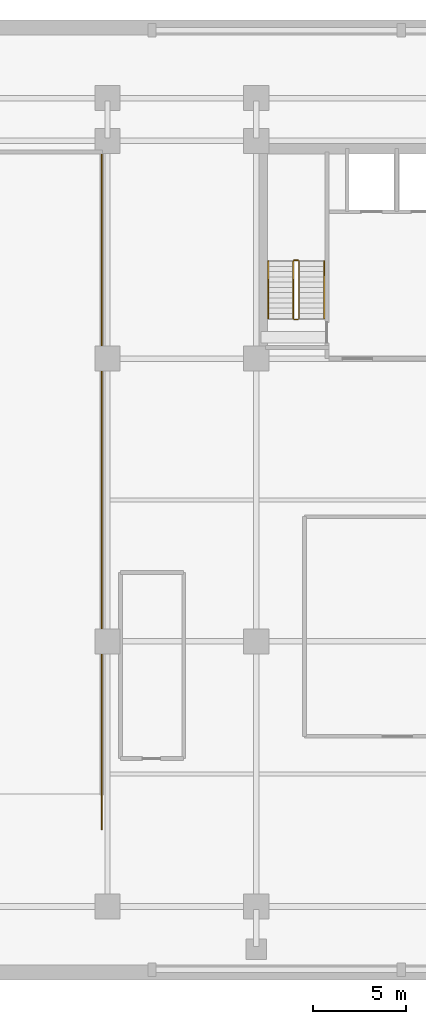
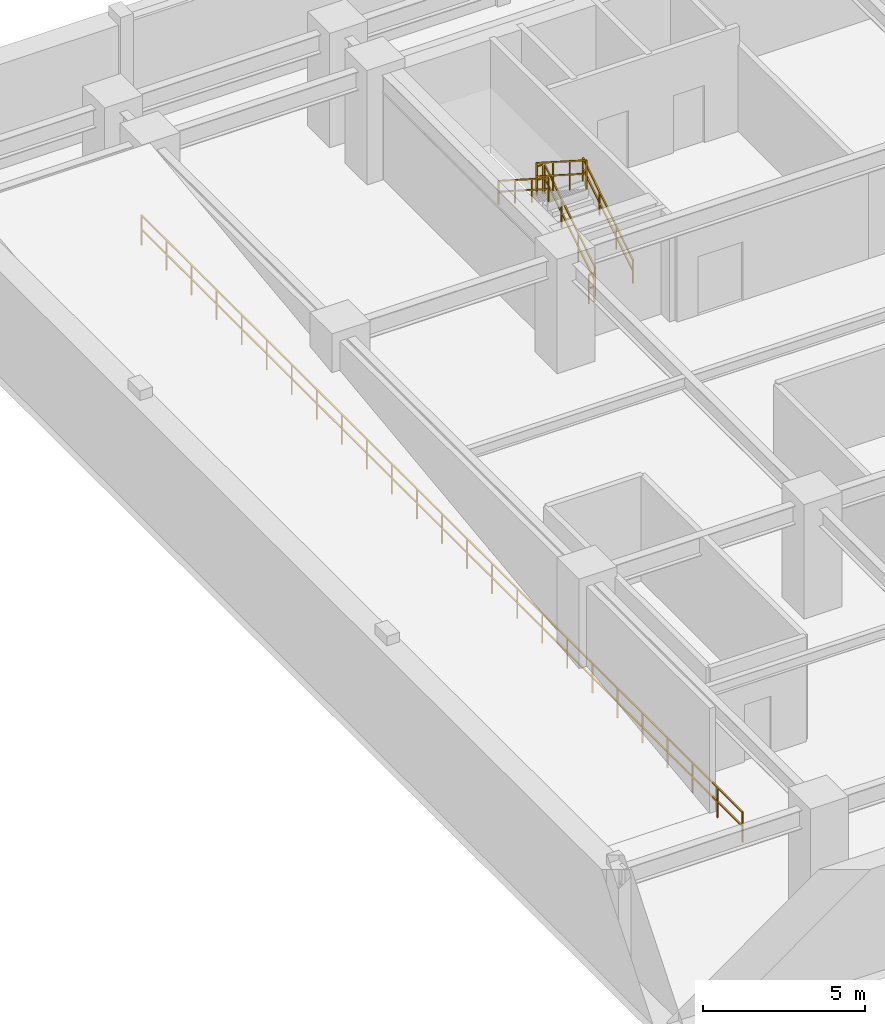
# One storey, part 7 of 8: 7 railings.
"""IFC4 building model written with IfcOpenShell, lengths in metres."""

import ifcopenshell
import ifcopenshell.guid

model = None  # the IFC model being written
_history = None  # IfcOwnerHistory: only IFC2X3 demands one
_inside = {}  # id of a spatial element -> (the spatial element, [elements in it])
_under = {}  # id of a project, library or spatial element -> (it, [spatial elements below it])
_declared = {}  # id of a project -> (the project, [libraries it declares])
_typed = {}  # id of a type object -> (the type object, [elements of that type])
_made_of = {}  # id of a material, layer set ... -> (it, [elements and type objects made of it])


def new_model(schema):
    """Start an empty IFC model of exactly this schema.

    Asked for "IFC4X3", IfcOpenShell would pick the latest addendum, in which some entities
    have other attributes; the version numbers below select the first issue.
    IFC2X3 requires an IfcOwnerHistory on every rooted entity: one is made here for all.
    """
    global model, _history
    if schema == "IFC4X3":
        model = ifcopenshell.file(schema_version=(4, 3, 0, 0))
    else:
        model = ifcopenshell.file(schema=schema)
    _inside.clear()
    _under.clear()
    _declared.clear()
    _typed.clear()
    _made_of.clear()
    _history = None
    if model.schema == "IFC2X3":
        org = make("IfcOrganization", Name="unknown")
        user = make(
            "IfcPersonAndOrganization",
            ThePerson=make("IfcPerson", FamilyName="unknown"),
            TheOrganization=org,
        )
        app = make(
            "IfcApplication",
            ApplicationDeveloper=org,
            Version="unknown",
            ApplicationFullName="unknown",
            ApplicationIdentifier="unknown",
        )
        _history = make(
            "IfcOwnerHistory",
            OwningUser=user,
            OwningApplication=app,
            ChangeAction="ADDED",
            CreationDate=0,
        )
    return model


def make(cls, **values):
    """One entity of the class cls with the attributes given. An attribute that is None is left unset."""
    return model.create_entity(
        cls, **{name: value for name, value in values.items() if value is not None}
    )


def rooted(cls, **values):
    """An entity with a GlobalId (a new one), such as an element, a storey or a relation."""
    return make(cls, GlobalId=ifcopenshell.guid.new(), OwnerHistory=_history, **values)


def si_unit(unit_type, name, prefix=None):
    """IfcSIUnit, for example si_unit("LENGTHUNIT", "METRE", prefix="MILLI")."""
    return make("IfcSIUnit", UnitType=unit_type, Prefix=prefix, Name=name)


def assignment(units):
    """IfcUnitAssignment: the units of a project."""
    return None if units is None else make("IfcUnitAssignment", Units=units)


def point(xyz):
    """IfcCartesianPoint."""
    return None if xyz is None else make("IfcCartesianPoint", Coordinates=xyz)


def direction(xyz):
    """IfcDirection."""
    return None if xyz is None else make("IfcDirection", DirectionRatios=xyz)


def frame(location, z_axis=None, x_axis=None):
    """IfcAxis2Placement3D, a coordinate frame: its origin and axes. An axis left out is left unset."""
    return make(
        "IfcAxis2Placement3D",
        Location=point(location),
        Axis=direction(z_axis),
        RefDirection=direction(x_axis),
    )


def frame_2d(location, x_axis=None):
    """IfcAxis2Placement2D, a coordinate frame in the plane: its origin and x axis."""
    return make(
        "IfcAxis2Placement2D", Location=point(location), RefDirection=direction(x_axis)
    )


def origin():
    """The frame at (0, 0, 0) with its axes left unset."""
    return frame((0.0, 0.0, 0.0))


def origin_2d():
    """The frame at (0, 0) in the plane with its x axis left unset."""
    return frame_2d((0.0, 0.0))


def place(relative_to, where):
    """IfcLocalPlacement: puts the frame where relative to a parent placement (None: the world)."""
    return make(
        "IfcLocalPlacement", PlacementRelTo=relative_to, RelativePlacement=where
    )


def context(
    kind, dimensions, precision=None, world=None, true_north=None, identifier=None
):
    """IfcGeometricRepresentationContext, for example the 3D "Model" context."""
    return make(
        "IfcGeometricRepresentationContext",
        ContextIdentifier=identifier,
        ContextType=kind,
        CoordinateSpaceDimension=dimensions,
        Precision=precision,
        WorldCoordinateSystem=world,
        TrueNorth=true_north,
    )


def subcontext(parent, identifier, kind, view, scale=None):
    """IfcGeometricRepresentationSubContext, for example "Body" below "Model"."""
    return make(
        "IfcGeometricRepresentationSubContext",
        ContextIdentifier=identifier,
        ContextType=kind,
        ParentContext=parent,
        TargetScale=scale,
        TargetView=view,
    )


def project(units=None, contexts=None):
    """IfcProject with its units and contexts."""
    return rooted(
        "IfcProject",
        Name="project",
        RepresentationContexts=contexts,
        UnitsInContext=assignment(units),
    )


def spatial(cls, under=None, at=None, **own):
    """A site, building, storey or space (cls), placed at a placement, below another one or the project."""
    s = rooted(cls, ObjectPlacement=at, **own)
    if under is not None:
        _under.setdefault(under.id(), (under, []))[1].append(s)
    return s


def profile(cls, at=None, kind="AREA", **sizes):
    """A parametric profile (cls). Its sizes go by their IFC names, for example OverallWidth=200.0."""
    return make(cls, ProfileType=kind, Position=at, **sizes)


def rectangle(**sizes):
    """IfcRectangleProfileDef."""
    return profile("IfcRectangleProfileDef", **sizes)


def extrude(swept, where, along, depth):
    """IfcExtrudedAreaSolid: the profile swept, set in the frame where, extruded along a direction by depth."""
    return make(
        "IfcExtrudedAreaSolid",
        SweptArea=swept,
        Position=where,
        ExtrudedDirection=direction(along),
        Depth=depth,
    )


def shape(context_of_items, identifier, shape_type, items):
    """IfcShapeRepresentation: the items that make up one representation, for example the "Body"."""
    return make(
        "IfcShapeRepresentation",
        ContextOfItems=context_of_items,
        RepresentationIdentifier=identifier,
        RepresentationType=shape_type,
        Items=items,
    )


def material(Name=None, Category=None):
    """IfcMaterial."""
    return make("IfcMaterial", Name=Name, Category=Category)


def made_of(thing, what):
    """Note that an element or type object is made of a material, layer set ...; save() writes the relation."""
    if what is not None:
        _made_of.setdefault(what.id(), (what, []))[1].append(thing)
    return thing


def type_object(cls, material=None, **own):
    """A type object (cls), such as IfcWallType, which elements share."""
    return made_of(rooted(cls, **own), material)


def element(
    cls,
    number,
    at=None,
    inside=None,
    cuts=None,
    type_object=None,
    material=None,
    context=None,
    identifier="Body",
    shape_type=None,
    held_by="IfcProductDefinitionShape",
    body=None,
    shapes=None,
    **own,
):
    """One element of the class cls, such as IfcWall. Its Tag is "e" and its number.

    at: its placement. inside: the storey or other place that contains it. cuts: it is an
    opening in that element (IfcRelVoidsElement). A single representation is given by context,
    identifier, shape_type and body (its items); several are given by shapes. held_by: the class
    of the entity that holds the representations. save() writes the other relations.
    """
    e = rooted(cls, Tag="e%d" % number, ObjectPlacement=at, **own)
    if body is not None:
        shapes = [shape(context, identifier, shape_type, body)]
    if shapes is not None:
        e.Representation = make(held_by, Representations=shapes)
    if inside is not None:
        _inside.setdefault(inside.id(), (inside, []))[1].append(e)
    if cuts is not None:
        rooted(
            "IfcRelVoidsElement", RelatingBuildingElement=cuts, RelatedOpeningElement=e
        )
    if type_object is not None:
        _typed.setdefault(type_object.id(), (type_object, []))[1].append(e)
    return made_of(e, material)


def aggregate(whole, parts):
    """IfcRelAggregates: a whole, such as a stair, and the parts it consists of."""
    return rooted("IfcRelAggregates", RelatingObject=whole, RelatedObjects=parts)


def save(model, path):
    """Write the relations noted so far, then the file.

    IfcRelAggregates (storeys below a building ...), IfcRelContainedInSpatialStructure (elements
    in a storey), IfcRelDefinesByType, IfcRelAssociatesMaterial and IfcRelDeclares: one each for
    every whole, place, type object, material and project.
    """
    for whole, parts in _under.values():
        aggregate(whole, parts)
    for where, things in _inside.values():
        rooted(
            "IfcRelContainedInSpatialStructure",
            RelatedElements=things,
            RelatingStructure=where,
        )
    for kind, things in _typed.values():
        rooted("IfcRelDefinesByType", RelatedObjects=things, RelatingType=kind)
    for what, things in _made_of.values():
        rooted("IfcRelAssociatesMaterial", RelatedObjects=things, RelatingMaterial=what)
    for by, libraries in _declared.values():
        rooted("IfcRelDeclares", RelatingContext=by, RelatedDefinitions=libraries)
    model.write(path)


model = new_model("IFC4")

# Units and contexts
model_context = context("Model", 3, precision=1e-05, world=origin(), true_north=direction((0.0, 1.0)))
body_context = subcontext(model_context, "Body", "Model", "MODEL_VIEW")
ifc_project = project(units=[si_unit("LENGTHUNIT", "METRE"), si_unit("AREAUNIT", "SQUARE_METRE"), si_unit("VOLUMEUNIT", "CUBIC_METRE"), si_unit("PLANEANGLEUNIT", "RADIAN"), si_unit("MASSUNIT", "GRAM", prefix="KILO")], contexts=[model_context])

# Site, building, storey
site_placement = place(None, origin())
site = spatial("IfcSite", under=ifc_project, at=site_placement, CompositionType="ELEMENT")
building_placement = place(site_placement, origin())
building = spatial("IfcBuilding", under=site, at=building_placement, Name="Trelvane Seafront Commons", CompositionType="ELEMENT")
storey_placement = place(building_placement, frame((0.0, 0.0, -4.300048828125)))
storey = spatial("IfcBuildingStorey", under=building, at=storey_placement, Name="B01", CompositionType="ELEMENT", Elevation=-4.300048828125)

# Railings
ifc_material = material(Name="Stainless steel balustrade", Category="steel")
railing_type_1 = type_object("IfcRailingType", Name="ARCH-RAIL-BAL1150", PredefinedType="BALUSTRADE", material=ifc_material)
railing_1_placement = place(storey_placement, frame((7.300048828125, 8.10009765625, 0.0)))
element("IfcRailing", 1, at=railing_1_placement, inside=storey, type_object=railing_type_1, Name="RL-B01-RMP-01", PredefinedType="BALUSTRADE", context=body_context, shape_type="SweptSolid", body=[
    extrude(rectangle(XDim=0.048095703125, YDim=0.048095703125, at=origin_2d()), frame((0.0, 0.0, 1.1259765625), z_axis=(0.0, 1.0, 0.0), x_axis=(-1.0, 0.0, 0.0)), (0.0, 0.0, 1.0), 37.0),
    extrude(rectangle(XDim=0.048095703125, YDim=0.048095703125, at=origin_2d()), frame((0.0, 0.0, 0.597900390625), z_axis=(0.0, 1.0, 0.0), x_axis=(-1.0, 0.0, 0.0)), (0.0, 0.0, 1.0), 37.0),
    extrude(rectangle(XDim=0.0419921875, YDim=0.0419921875, at=origin_2d()), origin(), (0.0, 0.0, 1.0), 1.1259765625),
    extrude(rectangle(XDim=0.0419921875, YDim=0.0419921875, at=origin_2d()), frame((0.0, 1.541748046875, 0.0)), (0.0, 0.0, 1.0), 1.1259765625),
    extrude(rectangle(XDim=0.0419921875, YDim=0.0419921875, at=origin_2d()), frame((0.0, 3.083251953125, 0.0)), (0.0, 0.0, 1.0), 1.1259765625),
    extrude(rectangle(XDim=0.0419921875, YDim=0.0419921875, at=origin_2d()), frame((0.0, 4.625, 0.0)), (0.0, 0.0, 1.0), 1.1259765625),
    extrude(rectangle(XDim=0.0419921875, YDim=0.0419921875, at=origin_2d()), frame((0.0, 6.166748046875, 0.0)), (0.0, 0.0, 1.0), 1.1259765625),
    extrude(rectangle(XDim=0.0419921875, YDim=0.0419921875, at=origin_2d()), frame((0.0, 7.708251953125, 0.0)), (0.0, 0.0, 1.0), 1.1259765625),
    extrude(rectangle(XDim=0.0419921875, YDim=0.0419921875, at=origin_2d()), frame((0.0, 9.25, 0.0)), (0.0, 0.0, 1.0), 1.1259765625),
    extrude(rectangle(XDim=0.0419921875, YDim=0.0419921875, at=origin_2d()), frame((0.0, 10.791748046875, 0.0)), (0.0, 0.0, 1.0), 1.1259765625),
    extrude(rectangle(XDim=0.0419921875, YDim=0.0419921875, at=origin_2d()), frame((0.0, 12.333251953125, 0.0)), (0.0, 0.0, 1.0), 1.1259765625),
    extrude(rectangle(XDim=0.0419921875, YDim=0.0419921875, at=origin_2d()), frame((0.0, 13.875, 0.0)), (0.0, 0.0, 1.0), 1.1259765625),
    extrude(rectangle(XDim=0.0419921875, YDim=0.0419921875, at=origin_2d()), frame((0.0, 15.416748046875, 0.0)), (0.0, 0.0, 1.0), 1.1259765625),
    extrude(rectangle(XDim=0.0419921875, YDim=0.0419921875, at=origin_2d()), frame((0.0, 16.958251953125, 0.0)), (0.0, 0.0, 1.0), 1.1259765625),
    extrude(rectangle(XDim=0.0419921875, YDim=0.0419921875, at=origin_2d()), frame((0.0, 18.5, 0.0)), (0.0, 0.0, 1.0), 1.1259765625),
    extrude(rectangle(XDim=0.0419921875, YDim=0.0419921875, at=origin_2d()), frame((0.0, 20.041748046875, 0.0)), (0.0, 0.0, 1.0), 1.1259765625),
    extrude(rectangle(XDim=0.0419921875, YDim=0.0419921875, at=origin_2d()), frame((0.0, 21.583251953125, 0.0)), (0.0, 0.0, 1.0), 1.1259765625),
    extrude(rectangle(XDim=0.0419921875, YDim=0.0419921875, at=origin_2d()), frame((0.0, 23.125, 0.0)), (0.0, 0.0, 1.0), 1.1259765625),
    extrude(rectangle(XDim=0.0419921875, YDim=0.0419921875, at=origin_2d()), frame((0.0, 24.666748046875, 0.0)), (0.0, 0.0, 1.0), 1.1259765625),
    extrude(rectangle(XDim=0.0419921875, YDim=0.0419921875, at=origin_2d()), frame((0.0, 26.208251953125, 0.0)), (0.0, 0.0, 1.0), 1.1259765625),
    extrude(rectangle(XDim=0.0419921875, YDim=0.0419921875, at=origin_2d()), frame((0.0, 27.75, 0.0)), (0.0, 0.0, 1.0), 1.1259765625),
    extrude(rectangle(XDim=0.0419921875, YDim=0.0419921875, at=origin_2d()), frame((0.0, 29.291748046875, 0.0)), (0.0, 0.0, 1.0), 1.1259765625),
    extrude(rectangle(XDim=0.0419921875, YDim=0.0419921875, at=origin_2d()), frame((0.0, 30.833251953125, 0.0)), (0.0, 0.0, 1.0), 1.1259765625),
    extrude(rectangle(XDim=0.0419921875, YDim=0.0419921875, at=origin_2d()), frame((0.0, 32.375, 0.0)), (0.0, 0.0, 1.0), 1.1259765625),
    extrude(rectangle(XDim=0.0419921875, YDim=0.0419921875, at=origin_2d()), frame((0.0, 33.916748046875, 0.0)), (0.0, 0.0, 1.0), 1.1259765625),
    extrude(rectangle(XDim=0.0419921875, YDim=0.0419921875, at=origin_2d()), frame((0.0, 35.458251953125, 0.0)), (0.0, 0.0, 1.0), 1.1259765625),
    extrude(rectangle(XDim=0.0419921875, YDim=0.0419921875, at=origin_2d()), frame((0.0, 37.0, 0.0)), (0.0, 0.0, 1.0), 1.1259765625),
])
railing_type_2 = type_object("IfcRailingType", Name="ARCH-SRL-GUARD", PredefinedType="GUARDRAIL", material=ifc_material)
railing_2_placement = place(storey_placement, frame((17.89990234375, 35.550048828125, 0.17919921875)))
element("IfcRailing", 2, at=railing_2_placement, inside=storey, type_object=railing_type_2, Name="B01 ST-1 stair guard 1", PredefinedType="GUARDRAIL", context=body_context, shape_type="SweptSolid", body=[
    extrude(rectangle(XDim=0.048095703125, YDim=0.048095703125, at=origin_2d()), frame((0.0, 0.0, 1.076171875), z_axis=(0.0, 0.842289589211, 0.539025275759), x_axis=(-1.0, 0.0, 0.0)), (0.0, 0.0, 1.0), 3.656494140625),
    extrude(rectangle(XDim=0.048095703125, YDim=0.048095703125, at=origin_2d()), frame((0.0, 0.0, 0.572021484375), z_axis=(0.0, 0.842289589211, 0.539025275759), x_axis=(-1.0, 0.0, 0.0)), (0.0, 0.0, 1.0), 3.656494140625),
    extrude(rectangle(XDim=0.0419921875, YDim=0.0419921875, at=origin_2d()), origin(), (0.0, 0.0, 1.0), 1.076171875),
    extrude(rectangle(XDim=0.0419921875, YDim=0.0419921875, at=origin_2d()), frame((0.0, 1.026611328125, 0.656982421875)), (0.0, 0.0, 1.0), 1.076171875),
    extrude(rectangle(XDim=0.0419921875, YDim=0.0419921875, at=origin_2d()), frame((0.0, 2.05322265625, 1.31396484375)), (0.0, 0.0, 1.0), 1.076171875),
    extrude(rectangle(XDim=0.0419921875, YDim=0.0419921875, at=origin_2d()), frame((0.0, 3.079833984375, 1.970947265625)), (0.0, 0.0, 1.0), 1.076171875),
])
railing_3_placement = place(storey_placement, frame((17.85009765625, 38.679931640625, 2.150146484375)))
element("IfcRailing", 3, at=railing_3_placement, inside=storey, type_object=railing_type_2, Name="B01 ST-1 stair guard 2", PredefinedType="GUARDRAIL", context=body_context, shape_type="SweptSolid", body=[
    extrude(rectangle(XDim=0.048095703125, YDim=0.048095703125, at=origin_2d()), frame((0.0, 0.0, 1.076171875), z_axis=(-1.0, 0.0, 0.0), x_axis=(0.0, -1.0, 0.0)), (0.0, 0.0, 1.0), 0.2001953125),
    extrude(rectangle(XDim=0.048095703125, YDim=0.048095703125, at=origin_2d()), frame((0.0, 0.0, 0.572021484375), z_axis=(-1.0, 0.0, 0.0), x_axis=(0.0, -1.0, 0.0)), (0.0, 0.0, 1.0), 0.2001953125),
    extrude(rectangle(XDim=0.0419921875, YDim=0.0419921875, at=origin_2d()), origin(), (0.0, 0.0, 1.0), 1.076171875),
    extrude(rectangle(XDim=0.0419921875, YDim=0.0419921875, at=origin_2d()), frame((-0.2001953125, 0.0, 0.0)), (0.0, 0.0, 1.0), 1.076171875),
])
railing_4_placement = place(storey_placement, frame((17.60009765625, 38.6298828125, 2.3291015625)))
element("IfcRailing", 4, at=railing_4_placement, inside=storey, type_object=railing_type_2, Name="B01 ST-1 stair guard 3", PredefinedType="GUARDRAIL", context=body_context, shape_type="SweptSolid", body=[
    extrude(rectangle(XDim=0.048095703125, YDim=0.048095703125, at=origin_2d()), frame((0.0, 0.0, 1.076171875), z_axis=(0.0, -0.842289589211, 0.539025275759), x_axis=(1.0, 0.0, 0.0)), (0.0, 0.0, 1.0), 3.656494140625),
    extrude(rectangle(XDim=0.048095703125, YDim=0.048095703125, at=origin_2d()), frame((0.0, 0.0, 0.572021484375), z_axis=(0.0, -0.842289589211, 0.539025275759), x_axis=(1.0, 0.0, 0.0)), (0.0, 0.0, 1.0), 3.656494140625),
    extrude(rectangle(XDim=0.0419921875, YDim=0.0419921875, at=origin_2d()), origin(), (0.0, 0.0, 1.0), 1.076171875),
    extrude(rectangle(XDim=0.0419921875, YDim=0.0419921875, at=origin_2d()), frame((0.0, -1.026611328125, 0.656982421875)), (0.0, 0.0, 1.0), 1.076171875),
    extrude(rectangle(XDim=0.0419921875, YDim=0.0419921875, at=origin_2d()), frame((0.0, -2.05322265625, 1.31396484375)), (0.0, 0.0, 1.0), 1.076171875),
    extrude(rectangle(XDim=0.0419921875, YDim=0.0419921875, at=origin_2d()), frame((0.0, -3.079833984375, 1.970947265625)), (0.0, 0.0, 1.0), 1.076171875),
])
railing_5_placement = place(storey_placement, frame((17.85009765625, 35.5, 0.0)))
element("IfcRailing", 5, at=railing_5_placement, inside=storey, type_object=railing_type_2, Name="B01 ST-1 stair guard 4", PredefinedType="GUARDRAIL", context=body_context, shape_type="SweptSolid", body=[
    extrude(rectangle(XDim=0.048095703125, YDim=0.048095703125, at=origin_2d()), frame((0.0, 0.0, 1.076171875), z_axis=(-1.0, 0.0, 0.0), x_axis=(0.0, -1.0, 0.0)), (0.0, 0.0, 1.0), 0.2001953125),
    extrude(rectangle(XDim=0.048095703125, YDim=0.048095703125, at=origin_2d()), frame((0.0, 0.0, 0.572021484375), z_axis=(-1.0, 0.0, 0.0), x_axis=(0.0, -1.0, 0.0)), (0.0, 0.0, 1.0), 0.2001953125),
    extrude(rectangle(XDim=0.0419921875, YDim=0.0419921875, at=origin_2d()), origin(), (0.0, 0.0, 1.0), 1.076171875),
    extrude(rectangle(XDim=0.0419921875, YDim=0.0419921875, at=origin_2d()), frame((-0.2001953125, 0.0, 0.0)), (0.0, 0.0, 1.0), 1.076171875),
])
railing_type_3 = type_object("IfcRailingType", Name="ARCH-SRL-HAND", PredefinedType="HANDRAIL", material=ifc_material)
railing_6_placement = place(storey_placement, frame((19.25, 35.550048828125, 0.17919921875)))
element("IfcRailing", 6, at=railing_6_placement, inside=storey, type_object=railing_type_3, Name="B01 ST-1 stair handrail 1", PredefinedType="HANDRAIL", context=body_context, shape_type="SweptSolid", body=[
    extrude(rectangle(XDim=0.048095703125, YDim=0.048095703125, at=origin_2d()), frame((0.0, 0.0, 0.8759765625), z_axis=(0.0, 0.842289589211, 0.539025275759), x_axis=(-1.0, 0.0, 0.0)), (0.0, 0.0, 1.0), 3.656494140625),
    extrude(rectangle(XDim=0.048095703125, YDim=0.048095703125, at=origin_2d()), frame((0.0, 0.0, 0.468017578125), z_axis=(0.0, 0.842289589211, 0.539025275759), x_axis=(-1.0, 0.0, 0.0)), (0.0, 0.0, 1.0), 3.656494140625),
    extrude(rectangle(XDim=0.0419921875, YDim=0.0419921875, at=origin_2d()), origin(), (0.0, 0.0, 1.0), 0.8759765625),
    extrude(rectangle(XDim=0.0419921875, YDim=0.0419921875, at=origin_2d()), frame((0.0, 1.026611328125, 0.656982421875)), (0.0, 0.0, 1.0), 0.8759765625),
    extrude(rectangle(XDim=0.0419921875, YDim=0.0419921875, at=origin_2d()), frame((0.0, 2.05322265625, 1.31396484375)), (0.0, 0.0, 1.0), 0.8759765625),
    extrude(rectangle(XDim=0.0419921875, YDim=0.0419921875, at=origin_2d()), frame((0.0, 3.079833984375, 1.970947265625)), (0.0, 0.0, 1.0), 0.8759765625),
])
railing_7_placement = place(storey_placement, frame((16.25, 38.6298828125, 2.3291015625)))
element("IfcRailing", 7, at=railing_7_placement, inside=storey, type_object=railing_type_3, Name="B01 ST-1 stair handrail 2", PredefinedType="HANDRAIL", context=body_context, shape_type="SweptSolid", body=[
    extrude(rectangle(XDim=0.048095703125, YDim=0.048095703125, at=origin_2d()), frame((0.0, 0.0, 0.8759765625), z_axis=(0.0, -0.842289589211, 0.539025275759), x_axis=(1.0, 0.0, 0.0)), (0.0, 0.0, 1.0), 3.656494140625),
    extrude(rectangle(XDim=0.048095703125, YDim=0.048095703125, at=origin_2d()), frame((0.0, 0.0, 0.468017578125), z_axis=(0.0, -0.842289589211, 0.539025275759), x_axis=(1.0, 0.0, 0.0)), (0.0, 0.0, 1.0), 3.656494140625),
    extrude(rectangle(XDim=0.0419921875, YDim=0.0419921875, at=origin_2d()), origin(), (0.0, 0.0, 1.0), 0.8759765625),
    extrude(rectangle(XDim=0.0419921875, YDim=0.0419921875, at=origin_2d()), frame((0.0, -1.026611328125, 0.656982421875)), (0.0, 0.0, 1.0), 0.8759765625),
    extrude(rectangle(XDim=0.0419921875, YDim=0.0419921875, at=origin_2d()), frame((0.0, -2.05322265625, 1.31396484375)), (0.0, 0.0, 1.0), 0.8759765625),
    extrude(rectangle(XDim=0.0419921875, YDim=0.0419921875, at=origin_2d()), frame((0.0, -3.079833984375, 1.970947265625)), (0.0, 0.0, 1.0), 0.8759765625),
])

save(model, "model.ifc")
